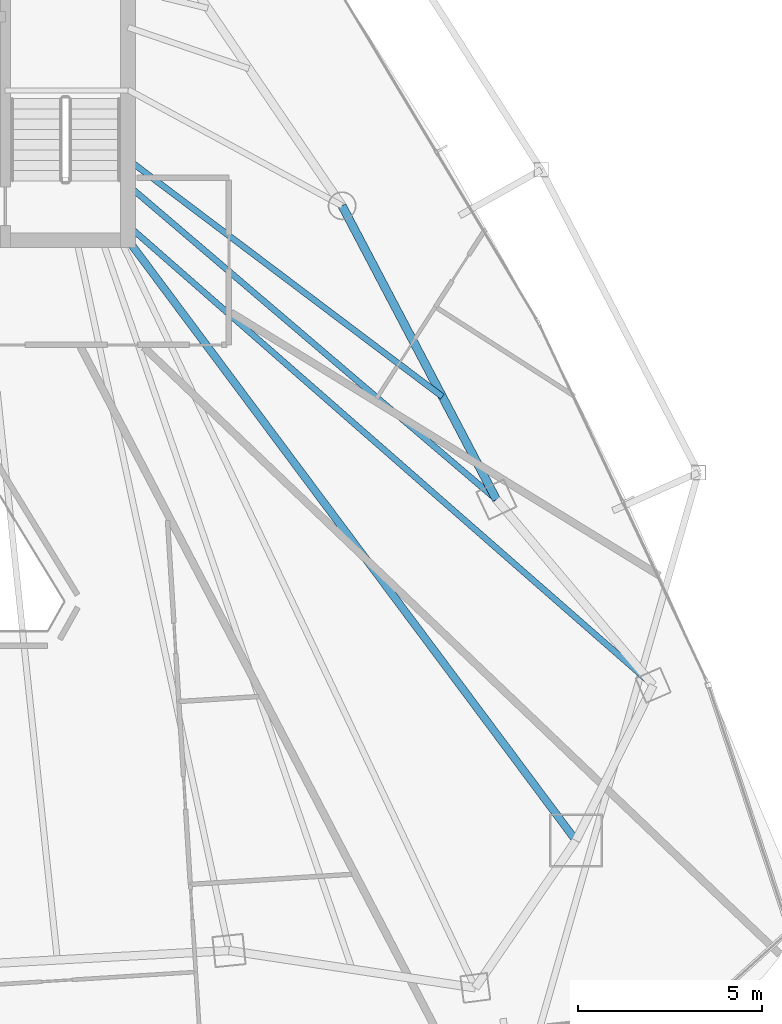
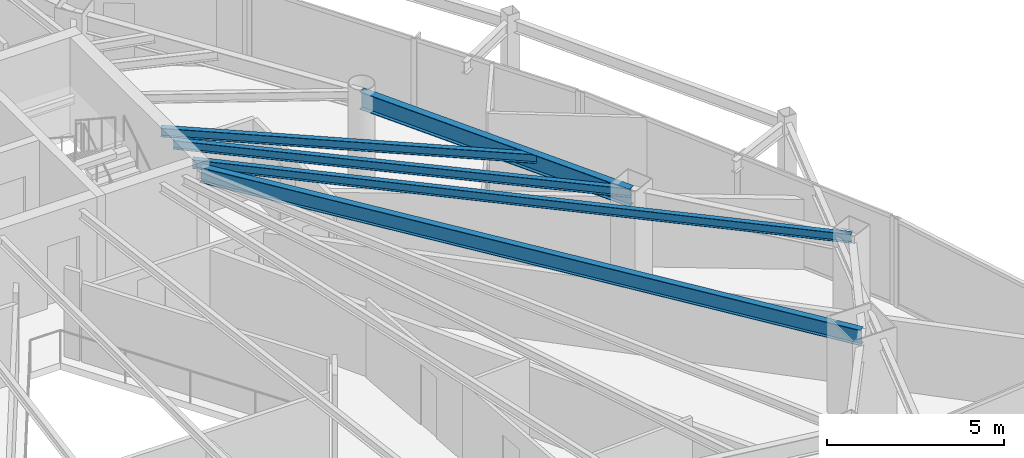
# One storey, part 16 of 29: 5 beams.
"""IFC4 building model written with IfcOpenShell, lengths in metres."""

from ifc_helpers import new_model, si_unit, direction, frame, origin, origin_2d, place, context, subcontext, project, spatial, i_section, extrude, material, material_profile, profile_set, type_object, element, save


model = new_model("IFC4")

# Units and contexts
model_context = context("Model", 3, precision=1e-05, world=origin(), true_north=direction((0.0, 1.0)))
body_context = subcontext(model_context, "Body", "Model", "MODEL_VIEW")
ifc_project = project(units=[si_unit("LENGTHUNIT", "METRE"), si_unit("AREAUNIT", "SQUARE_METRE"), si_unit("VOLUMEUNIT", "CUBIC_METRE"), si_unit("PLANEANGLEUNIT", "RADIAN"), si_unit("MASSUNIT", "GRAM", prefix="KILO")], contexts=[model_context])

# Site, building, storey
site_placement = place(None, origin())
site = spatial("IfcSite", under=ifc_project, at=site_placement, CompositionType="ELEMENT")
building_placement = place(site_placement, origin())
building = spatial("IfcBuilding", under=site, at=building_placement, Name="Orvanel Arch Residences", CompositionType="ELEMENT")
storey_placement = place(building_placement, frame((0.0, 0.0, 170.449951171875)))
storey = spatial("IfcBuildingStorey", under=building, at=storey_placement, Name="L48", CompositionType="ELEMENT", Elevation=170.449951171875)

# Beams
ifc_material = material(Name="Structural steel AS/NZS 3679.1 Grade 300 (300 MPa)", Category="steel")
ifc_material_profile_1 = material_profile(ifc_material, i_section(OverallWidth=0.208984375, OverallDepth=0.532958984375, WebThickness=0.01025390625, FlangeThickness=0.015625, at=origin_2d()), Name="530UB92.4")
ifc_profile_set_1 = profile_set([ifc_material_profile_1], Name="Structural steel AS/NZS 3679.1 Grade 300 (300 MPa)")
beam_type_1 = type_object("IfcBeamType", Name="BG-530UB", PredefinedType="BEAM", material=ifc_profile_set_1)
beam_1_placement = place(storey_placement, frame((39.625, 26.675048828125, 2.79296875), z_axis=(0.597893733742, -0.801575375839, 0.0), x_axis=(0.801575375839, 0.597893733742, 0.0)))
element("IfcBeam", 1, at=beam_1_placement, inside=storey, type_object=beam_type_1, Name="L48 South-East Radial Girder", PredefinedType="BEAM", context=body_context, shape_type="SweptSolid", body=[
    extrude(i_section(OverallWidth=0.208984375, OverallDepth=0.532958984375, WebThickness=0.01025390625, FlangeThickness=0.015625, at=origin_2d()), origin(), (0.0, 0.0, 1.0), 20.36474609375),
])
ifc_material_profile_2 = material_profile(ifc_material, i_section(OverallWidth=0.1650390625, OverallDepth=0.303955078125, WebThickness=0.006103515625, FlangeThickness=0.01025390625, at=origin_2d()), Name="310UB40.4")
ifc_profile_set_2 = profile_set([ifc_material_profile_2], Name="Structural steel AS/NZS 3679.1 Grade 300 (300 MPa)")
beam_type_2 = type_object("IfcBeamType", Name="BJ-310UB", PredefinedType="JOIST", material=ifc_profile_set_2)
beam_2_placement = place(storey_placement, frame((39.60009765625, 28.199951171875, 2.907958984375), z_axis=(0.760821315761, -0.648961420644, 0.0), x_axis=(0.648961420644, 0.760821315761, 0.0)))
element("IfcBeam", 2, at=beam_2_placement, inside=storey, type_object=beam_type_2, Name="L48 E Wing Floor Joist", PredefinedType="JOIST", context=body_context, shape_type="SweptSolid", body=[
    extrude(i_section(OverallWidth=0.1650390625, OverallDepth=0.303955078125, WebThickness=0.006103515625, FlangeThickness=0.01025390625, at=origin_2d()), origin(), (0.0, 0.0, 1.0), 13.18701171875),
])
beam_3_placement = place(storey_placement, frame((39.60009765625, 27.10009765625, 2.907958984375), z_axis=(0.752493154183, -0.658600070534, 0.0), x_axis=(0.658600070534, 0.752493154183, 0.0)))
element("IfcBeam", 3, at=beam_3_placement, inside=storey, type_object=beam_type_2, Name="L48 ME Wing Floor Joist", PredefinedType="JOIST", context=body_context, shape_type="SweptSolid", body=[
    extrude(i_section(OverallWidth=0.1650390625, OverallDepth=0.303955078125, WebThickness=0.006103515625, FlangeThickness=0.01025390625, at=origin_2d()), origin(), (0.0, 0.0, 1.0), 19.010009765625),
])
beam_4_placement = place(storey_placement, frame((39.60009765625, 28.89990234375, 2.907958984375), z_axis=(0.798363428886, -0.602175917334, 0.0), x_axis=(0.602175917334, 0.798363428886, 0.0)))
element("IfcBeam", 4, at=beam_4_placement, inside=storey, type_object=beam_type_2, Name="L48 CTE Wing Floor Joist", PredefinedType="JOIST", context=body_context, shape_type="SweptSolid", body=[
    extrude(i_section(OverallWidth=0.1650390625, OverallDepth=0.303955078125, WebThickness=0.006103515625, FlangeThickness=0.01025390625, at=origin_2d()), origin(), (0.0, 0.0, 1.0), 10.724365234375),
])
ifc_material_profile_3 = material_profile(ifc_material, i_section(OverallWidth=0.22900390625, OverallDepth=0.612060546875, WebThickness=0.011962890625, FlangeThickness=0.01953125, at=origin_2d()), Name="610UB125")
ifc_profile_set_3 = profile_set([ifc_material_profile_3], Name="Structural steel AS/NZS 3679.1 Grade 300 (300 MPa)")
beam_type_3 = type_object("IfcBeamType", Name="SP-610UB", PredefinedType="SPANDREL", material=ifc_profile_set_3)
beam_5_placement = place(storey_placement, frame((49.633056640625, 19.64208984375, 2.754150390625), z_axis=(-0.465064762793, 0.885276660942, 0.0), x_axis=(-0.885276660942, -0.465064762793, 0.0)))
element("IfcBeam", 5, at=beam_5_placement, inside=storey, type_object=beam_type_3, Name="L48 Perimeter Spandrel Beam 11", PredefinedType="SPANDREL", context=body_context, shape_type="SweptSolid", body=[
    extrude(i_section(OverallWidth=0.22900390625, OverallDepth=0.612060546875, WebThickness=0.011962890625, FlangeThickness=0.01953125, at=origin_2d()), origin(), (0.0, 0.0, 1.0), 9.03564453125),
])

save(model, "model.ifc")
